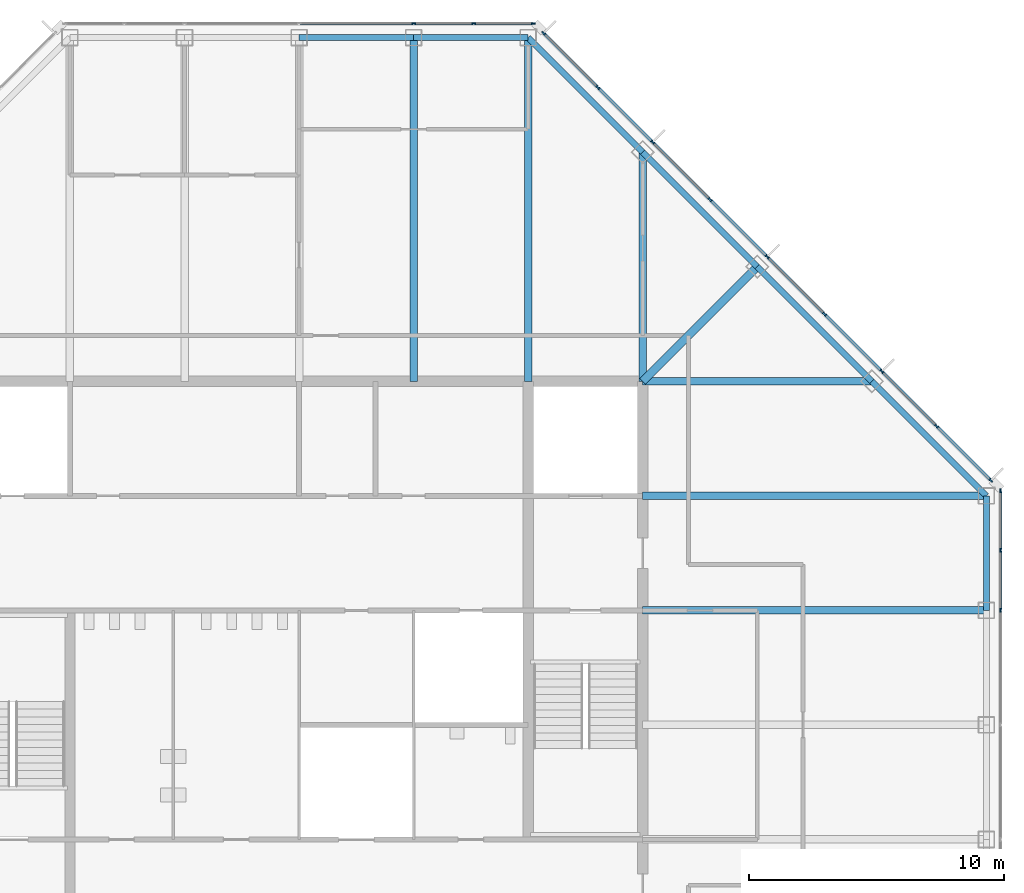
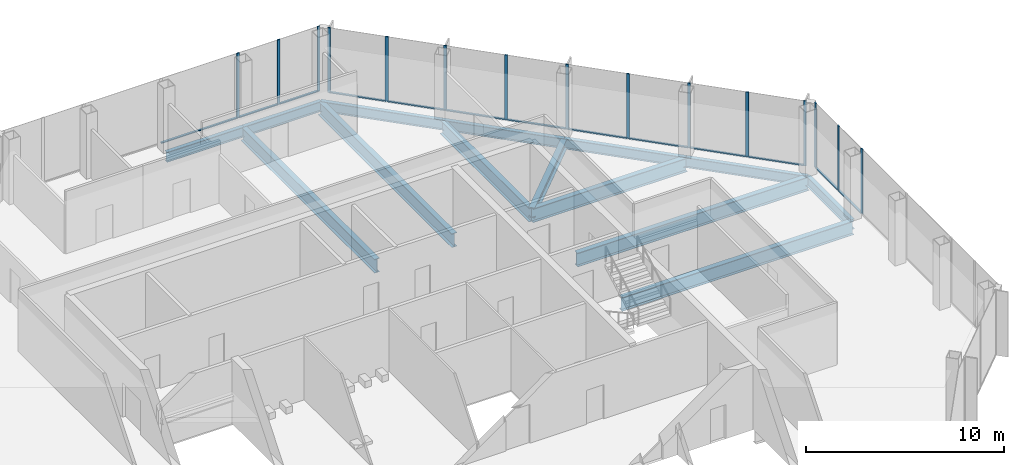
# One storey, part 7 of 13: 28 members, 14 beams, 3 elements without a shape of their own.
"""IFC4 building model written with IfcOpenShell, lengths in metres."""

from ifc_helpers import new_model, si_unit, direction, frame, origin, origin_2d, place, context, subcontext, project, spatial, rectangle, i_section, extrude, material, material_profile, profile_set, type_object, element, aggregate, save


model = new_model("IFC4")

# Units and contexts
model_context = context("Model", 3, precision=1e-05, world=origin(), true_north=direction((0.0, 1.0)))
body_context = subcontext(model_context, "Body", "Model", "MODEL_VIEW")
ifc_project = project(units=[si_unit("LENGTHUNIT", "METRE"), si_unit("AREAUNIT", "SQUARE_METRE"), si_unit("VOLUMEUNIT", "CUBIC_METRE"), si_unit("PLANEANGLEUNIT", "RADIAN"), si_unit("MASSUNIT", "GRAM", prefix="KILO")], contexts=[model_context])

# Site, building, storey
site_placement = place(None, origin())
site = spatial("IfcSite", under=ifc_project, at=site_placement, CompositionType="ELEMENT")
building_placement = place(site_placement, origin())
building = spatial("IfcBuilding", under=site, at=building_placement, Name="Corais Broadcast Tower", CompositionType="ELEMENT")
storey_placement = place(building_placement, frame((0.0, 0.0, 222.60009765625)))
storey = spatial("IfcBuildingStorey", under=building, at=storey_placement, Name="L51", CompositionType="ELEMENT", Elevation=222.60009765625)

# Beams
ifc_material_1 = material(Name="Steel ASTM A572 Grade 50", Category="steel")
ifc_material_profile_1 = material_profile(ifc_material_1, i_section(OverallWidth=0.323974609375, OverallDepth=0.611083984375, WebThickness=0.0126953125, FlangeThickness=0.01904296875, at=origin_2d()), Name="W610x155")
ifc_profile_set_1 = profile_set([ifc_material_profile_1], Name="Steel ASTM A572 Grade 50")
beam_type_1 = type_object("IfcBeamType", Name="Corner diagonal W610x155", PredefinedType="BEAM", material=ifc_profile_set_1)
beam_1_placement = place(storey_placement, frame((45.0, 45.0, -0.465576171875), z_axis=(-0.707106781187, -0.707106781187, 0.0), x_axis=(0.707106781187, -0.707106781187, 0.0)))
element("IfcBeam", 1, at=beam_1_placement, inside=storey, type_object=beam_type_1, Name="B6 L/13 to K/12", PredefinedType="BEAM", context=body_context, shape_type="SweptSolid", body=[
    extrude(i_section(OverallWidth=0.323974609375, OverallDepth=0.611083984375, WebThickness=0.0126953125, FlangeThickness=0.01904296875, at=origin_2d()), origin(), (0.0, 0.0, 1.0), 6.364013671875),
])
ifc_material_2 = material(Name="Steel ASTM A572 Grade 50", Category="steel")
ifc_material_profile_2 = material_profile(ifc_material_2, i_section(OverallWidth=0.2939453125, OverallDepth=0.85107421875, WebThickness=0.01611328125, FlangeThickness=0.02685546875, at=origin_2d()), Name="W840x226")
ifc_profile_set_2 = profile_set([ifc_material_profile_2], Name="Steel ASTM A572 Grade 50")
beam_type_2 = type_object("IfcBeamType", Name="Floor beam W840x226", PredefinedType="BEAM", material=ifc_profile_set_2)
for number, where, z_axis, x_axis, name in (
    (2, (31.5, 54.0, -0.585693359375), (0.0, -1.0, 0.0), (1.0, 0.0, 0.0), "B1 N/10 to K/10"),
    (3, (36.0, 54.0, -0.585693359375), (0.0, -1.0, 0.0), (1.0, 0.0, 0.0), "B1 N/11 to K/11"),
):
    element("IfcBeam", number, at=place(storey_placement, frame(where, z_axis=z_axis, x_axis=x_axis)), inside=storey, type_object=beam_type_2, Name=name, PredefinedType="BEAM", context=body_context, shape_type="SweptSolid", body=[
        extrude(i_section(OverallWidth=0.2939453125, OverallDepth=0.85107421875, WebThickness=0.01611328125, FlangeThickness=0.02685546875, at=origin_2d()), origin(), (0.0, 0.0, 1.0), 13.5),
    ])
for number, where, z_axis, x_axis, name in (
    (4, (40.5, 49.5, -0.585693359375), (0.0, -1.0, 0.0), (1.0, 0.0, 0.0), "B1 M/12 to K/12"),
    (5, (49.5, 40.5, -0.585693359375), (-1.0, 0.0, 0.0), (0.0, -1.0, 0.0), "B1 K/14 to K/12"),
):
    element("IfcBeam", number, at=place(storey_placement, frame(where, z_axis=z_axis, x_axis=x_axis)), inside=storey, type_object=beam_type_2, Name=name, PredefinedType="BEAM", context=body_context, shape_type="SweptSolid", body=[
        extrude(i_section(OverallWidth=0.2939453125, OverallDepth=0.85107421875, WebThickness=0.01611328125, FlangeThickness=0.02685546875, at=origin_2d()), origin(), (0.0, 0.0, 1.0), 9.0),
    ])
for number, where, z_axis, x_axis, name in (
    (6, (54.0, 31.5, -0.585693359375), (-1.0, 0.0, 0.0), (0.0, -1.0, 0.0), "B1 H/15 to H/12"),
    (7, (54.0, 36.0, -0.585693359375), (-1.0, 0.0, 0.0), (0.0, -1.0, 0.0), "B1 J/15 to J/12"),
):
    element("IfcBeam", number, at=place(storey_placement, frame(where, z_axis=z_axis, x_axis=x_axis)), inside=storey, type_object=beam_type_2, Name=name, PredefinedType="BEAM", context=body_context, shape_type="SweptSolid", body=[
        extrude(i_section(OverallWidth=0.2939453125, OverallDepth=0.85107421875, WebThickness=0.01611328125, FlangeThickness=0.02685546875, at=origin_2d()), origin(), (0.0, 0.0, 1.0), 13.5),
    ])

# Curtain wall, members
ifc_material_3 = material(Name="Aluminium and glass", Category="aluminium")
curtain_wall_type = type_object("IfcCurtainWallType", Name="Unitised fritted curtain wall CW3", PredefinedType="NOTDEFINED", material=ifc_material_3)
curtain_wall_1_placement = place(storey_placement, origin())
curtain_wall_1 = element("IfcCurtainWall", 8, at=curtain_wall_1_placement, inside=storey, type_object=curtain_wall_type, Name="CW3 curtain wall L51 4", PredefinedType="NOTDEFINED")
ifc_material_4 = material(Name="Aluminium 6063-T6", Category="aluminium")
ifc_material_profile_3 = material_profile(ifc_material_4, rectangle(XDim=0.06494140625, YDim=0.159912109375, at=origin_2d()), Name="Mullion CW3 65x160")
ifc_profile_set_3 = profile_set([ifc_material_profile_3], Name="Aluminium 6063-T6")
member_type_1 = type_object("IfcMemberType", Name="Mullion CW3 65x160", PredefinedType="MULLION", material=ifc_profile_set_3)
member_1_placement = place(storey_placement, frame((31.5, 54.550048828125, 0.0), z_axis=(0.0, 0.0, 1.0), x_axis=(0.0, 1.0, 0.0)))
member_1 = element("IfcMember", 9, at=member_1_placement, type_object=member_type_1, Name="CW3 mullion 5", PredefinedType="MULLION", context=body_context, shape_type="SweptSolid", body=[
    extrude(rectangle(XDim=0.06494140625, YDim=0.159912109375, at=origin_2d()), origin(), (0.0, 0.0, 1.0), 4.0),
])
member_2_placement = place(storey_placement, frame((33.864013671875, 54.550048828125, 0.0), z_axis=(0.0, 0.0, 1.0), x_axis=(0.0, 1.0, 0.0)))
member_2 = element("IfcMember", 10, at=member_2_placement, type_object=member_type_1, Name="CW3 mullion 6", PredefinedType="MULLION", context=body_context, shape_type="SweptSolid", body=[
    extrude(rectangle(XDim=0.06494140625, YDim=0.159912109375, at=origin_2d()), origin(), (0.0, 0.0, 1.0), 4.0),
])
member_3_placement = place(storey_placement, frame((36.1953125, 54.550048828125, 0.0), z_axis=(0.0, 0.0, 1.0), x_axis=(0.0, 1.0, 0.0)))
member_3 = element("IfcMember", 11, at=member_3_placement, type_object=member_type_1, Name="CW3 mullion 7", PredefinedType="MULLION", context=body_context, shape_type="SweptSolid", body=[
    extrude(rectangle(XDim=0.06494140625, YDim=0.159912109375, at=origin_2d()), origin(), (0.0, 0.0, 1.0), 4.0),
])

curtain_wall_2_placement = place(storey_placement, origin())
curtain_wall_2 = element("IfcCurtainWall", 12, at=curtain_wall_2_placement, inside=storey, type_object=curtain_wall_type, Name="CW3 curtain wall L51 5", PredefinedType="NOTDEFINED")
member_4_placement = place(storey_placement, frame((36.6044921875, 54.17333984375, 0.0), z_axis=(0.0, 0.0, 1.0), x_axis=(0.707106781187, 0.707106781187, 0.0)))
member_4 = element("IfcMember", 13, at=member_4_placement, type_object=member_type_1, Name="CW3 mullion 1", PredefinedType="MULLION", context=body_context, shape_type="SweptSolid", body=[
    extrude(rectangle(XDim=0.06494140625, YDim=0.159912109375, at=origin_2d()), origin(), (0.0, 0.0, 1.0), 4.0),
])
member_5_placement = place(storey_placement, frame((38.735107421875, 52.042724609375, 0.0), z_axis=(0.0, 0.0, 1.0), x_axis=(0.707106781187, 0.707106781187, 0.0)))
member_5 = element("IfcMember", 14, at=member_5_placement, type_object=member_type_1, Name="CW3 mullion 2", PredefinedType="MULLION", context=body_context, shape_type="SweptSolid", body=[
    extrude(rectangle(XDim=0.06494140625, YDim=0.159912109375, at=origin_2d()), origin(), (0.0, 0.0, 1.0), 4.0),
])
member_6_placement = place(storey_placement, frame((40.888916015625, 49.888916015625, 0.0), z_axis=(0.0, 0.0, 1.0), x_axis=(0.707106781187, 0.707106781187, 0.0)))
member_6 = element("IfcMember", 15, at=member_6_placement, type_object=member_type_1, Name="CW3 mullion 3", PredefinedType="MULLION", context=body_context, shape_type="SweptSolid", body=[
    extrude(rectangle(XDim=0.06494140625, YDim=0.159912109375, at=origin_2d()), origin(), (0.0, 0.0, 1.0), 4.0),
])
member_7_placement = place(storey_placement, frame((43.138916015625, 47.638916015625, 0.0), z_axis=(0.0, 0.0, 1.0), x_axis=(0.707106781187, 0.707106781187, 0.0)))
member_7 = element("IfcMember", 16, at=member_7_placement, type_object=member_type_1, Name="CW3 mullion 4", PredefinedType="MULLION", context=body_context, shape_type="SweptSolid", body=[
    extrude(rectangle(XDim=0.06494140625, YDim=0.159912109375, at=origin_2d()), origin(), (0.0, 0.0, 1.0), 4.0),
])
member_8_placement = place(storey_placement, frame((45.388916015625, 45.388916015625, 0.0), z_axis=(0.0, 0.0, 1.0), x_axis=(0.707106781187, 0.707106781187, 0.0)))
member_8 = element("IfcMember", 17, at=member_8_placement, type_object=member_type_1, Name="CW3 mullion 5", PredefinedType="MULLION", context=body_context, shape_type="SweptSolid", body=[
    extrude(rectangle(XDim=0.06494140625, YDim=0.159912109375, at=origin_2d()), origin(), (0.0, 0.0, 1.0), 4.0),
])
member_9_placement = place(storey_placement, frame((47.638916015625, 43.138916015625, 0.0), z_axis=(0.0, 0.0, 1.0), x_axis=(0.707106781187, 0.707106781187, 0.0)))
member_9 = element("IfcMember", 18, at=member_9_placement, type_object=member_type_1, Name="CW3 mullion 6", PredefinedType="MULLION", context=body_context, shape_type="SweptSolid", body=[
    extrude(rectangle(XDim=0.06494140625, YDim=0.159912109375, at=origin_2d()), origin(), (0.0, 0.0, 1.0), 4.0),
])
member_10_placement = place(storey_placement, frame((49.888916015625, 40.888916015625, 0.0), z_axis=(0.0, 0.0, 1.0), x_axis=(0.707106781187, 0.707106781187, 0.0)))
member_10 = element("IfcMember", 19, at=member_10_placement, type_object=member_type_1, Name="CW3 mullion 7", PredefinedType="MULLION", context=body_context, shape_type="SweptSolid", body=[
    extrude(rectangle(XDim=0.06494140625, YDim=0.159912109375, at=origin_2d()), origin(), (0.0, 0.0, 1.0), 4.0),
])
member_11_placement = place(storey_placement, frame((52.042724609375, 38.735107421875, 0.0), z_axis=(0.0, 0.0, 1.0), x_axis=(0.707106781187, 0.707106781187, 0.0)))
member_11 = element("IfcMember", 20, at=member_11_placement, type_object=member_type_1, Name="CW3 mullion 8", PredefinedType="MULLION", context=body_context, shape_type="SweptSolid", body=[
    extrude(rectangle(XDim=0.06494140625, YDim=0.159912109375, at=origin_2d()), origin(), (0.0, 0.0, 1.0), 4.0),
])
member_12_placement = place(storey_placement, frame((54.17333984375, 36.6044921875, 0.0), z_axis=(0.0, 0.0, 1.0), x_axis=(0.707106781187, 0.707106781187, 0.0)))
member_12 = element("IfcMember", 21, at=member_12_placement, type_object=member_type_1, Name="CW3 mullion 9", PredefinedType="MULLION", context=body_context, shape_type="SweptSolid", body=[
    extrude(rectangle(XDim=0.06494140625, YDim=0.159912109375, at=origin_2d()), origin(), (0.0, 0.0, 1.0), 4.0),
])

curtain_wall_3_placement = place(storey_placement, origin())
curtain_wall_3 = element("IfcCurtainWall", 22, at=curtain_wall_3_placement, inside=storey, type_object=curtain_wall_type, Name="CW3 curtain wall L51 6", PredefinedType="NOTDEFINED")
member_13_placement = place(storey_placement, frame((54.550048828125, 36.1953125, 0.0), z_axis=(0.0, 0.0, 1.0), x_axis=(1.0, 0.0, 0.0)))
member_13 = element("IfcMember", 23, at=member_13_placement, type_object=member_type_1, Name="CW3 mullion 1", PredefinedType="MULLION", context=body_context, shape_type="SweptSolid", body=[
    extrude(rectangle(XDim=0.06494140625, YDim=0.159912109375, at=origin_2d()), origin(), (0.0, 0.0, 1.0), 4.0),
])
member_14_placement = place(storey_placement, frame((54.550048828125, 33.864013671875, 0.0), z_axis=(0.0, 0.0, 1.0), x_axis=(1.0, 0.0, 0.0)))
member_14 = element("IfcMember", 24, at=member_14_placement, type_object=member_type_1, Name="CW3 mullion 2", PredefinedType="MULLION", context=body_context, shape_type="SweptSolid", body=[
    extrude(rectangle(XDim=0.06494140625, YDim=0.159912109375, at=origin_2d()), origin(), (0.0, 0.0, 1.0), 4.0),
])
member_15_placement = place(storey_placement, frame((54.550048828125, 31.5, 0.0), z_axis=(0.0, 0.0, 1.0), x_axis=(1.0, 0.0, 0.0)))
member_15 = element("IfcMember", 25, at=member_15_placement, type_object=member_type_1, Name="CW3 mullion 3", PredefinedType="MULLION", context=body_context, shape_type="SweptSolid", body=[
    extrude(rectangle(XDim=0.06494140625, YDim=0.159912109375, at=origin_2d()), origin(), (0.0, 0.0, 1.0), 4.0),
])

# Beams
ifc_material_5 = material(Name="Steel ASTM A572 Grade 50", Category="steel")
ifc_material_profile_4 = material_profile(ifc_material_5, i_section(OverallWidth=0.22998046875, OverallDepth=0.616943359375, WebThickness=0.01318359375, FlangeThickness=0.022216796875, at=origin_2d()), Name="W610x140")
ifc_profile_set_4 = profile_set([ifc_material_profile_4], Name="Steel ASTM A572 Grade 50")
beam_type_3 = type_object("IfcBeamType", Name="Spandrel W610x140", PredefinedType="BEAM", material=ifc_profile_set_4)
for number, where, z_axis, x_axis, name in (
    (26, (31.5, 54.0, -0.468505859375), (-1.0, 0.0, 0.0), (0.0, -1.0, 0.0), "SB3 N/10 to N/9"),
    (27, (36.0, 54.0, -0.468505859375), (-1.0, 0.0, 0.0), (0.0, -1.0, 0.0), "SB3 N/11 to N/10"),
):
    element("IfcBeam", number, at=place(storey_placement, frame(where, z_axis=z_axis, x_axis=x_axis)), inside=storey, type_object=beam_type_3, Name=name, PredefinedType="BEAM", context=body_context, shape_type="SweptSolid", body=[
        extrude(i_section(OverallWidth=0.22998046875, OverallDepth=0.616943359375, WebThickness=0.01318359375, FlangeThickness=0.022216796875, at=origin_2d()), origin(), (0.0, 0.0, 1.0), 4.5),
    ])
for number, where, z_axis, x_axis, name in (
    (28, (40.5, 49.5, -0.468505859375), (-0.707106781187, 0.707106781187, 0.0), (-0.707106781187, -0.707106781187, 0.0), "SB3 M/12 to N/11"),
    (29, (45.0, 45.0, -0.468505859375), (-0.707106781187, 0.707106781187, 0.0), (-0.707106781187, -0.707106781187, 0.0), "SB3 L/13 to M/12"),
    (30, (49.5, 40.5, -0.468505859375), (-0.707106781187, 0.707106781187, 0.0), (-0.707106781187, -0.707106781187, 0.0), "SB3 K/14 to L/13"),
):
    element("IfcBeam", number, at=place(storey_placement, frame(where, z_axis=z_axis, x_axis=x_axis)), inside=storey, type_object=beam_type_3, Name=name, PredefinedType="BEAM", context=body_context, shape_type="SweptSolid", body=[
        extrude(i_section(OverallWidth=0.22998046875, OverallDepth=0.616943359375, WebThickness=0.01318359375, FlangeThickness=0.022216796875, at=origin_2d()), origin(), (0.0, 0.0, 1.0), 6.364013671875),
    ])
beam_2_placement = place(storey_placement, frame((54.0, 31.5, -0.468505859375), z_axis=(0.0, 1.0, 0.0), x_axis=(-1.0, 0.0, 0.0)))
element("IfcBeam", 31, at=beam_2_placement, inside=storey, type_object=beam_type_3, Name="SB3 H/15 to J/15", PredefinedType="BEAM", context=body_context, shape_type="SweptSolid", body=[
    extrude(i_section(OverallWidth=0.22998046875, OverallDepth=0.616943359375, WebThickness=0.01318359375, FlangeThickness=0.022216796875, at=origin_2d()), origin(), (0.0, 0.0, 1.0), 4.5),
])
beam_3_placement = place(storey_placement, frame((54.0, 36.0, -0.468505859375), z_axis=(-0.707106781187, 0.707106781187, 0.0), x_axis=(-0.707106781187, -0.707106781187, 0.0)))
element("IfcBeam", 32, at=beam_3_placement, inside=storey, type_object=beam_type_3, Name="SB3 J/15 to K/14", PredefinedType="BEAM", context=body_context, shape_type="SweptSolid", body=[
    extrude(i_section(OverallWidth=0.22998046875, OverallDepth=0.616943359375, WebThickness=0.01318359375, FlangeThickness=0.022216796875, at=origin_2d()), origin(), (0.0, 0.0, 1.0), 6.364013671875),
])

# Member
ifc_material_6 = material(Name="Aluminium 6063-T6", Category="aluminium")
ifc_material_profile_5 = material_profile(ifc_material_6, rectangle(XDim=0.1201171875, YDim=0.06494140625, at=origin_2d()), Name="Transom CW3 65x120")
ifc_profile_set_5 = profile_set([ifc_material_profile_5], Name="Aluminium 6063-T6")
member_type_2 = type_object("IfcMemberType", Name="Transom CW3 65x120", PredefinedType="USERDEFINED", material=ifc_profile_set_5)
member_16_placement = place(storey_placement, frame((27.032470703125, 54.550048828125, 0.032470703125), z_axis=(1.0, 0.0, 0.0), x_axis=(0.0, 1.0, 0.0)))
member_16 = element("IfcMember", 33, at=member_16_placement, type_object=member_type_2, Name="CW3 transom 4.1", ObjectType="TRANSOM", PredefinedType="USERDEFINED", context=body_context, shape_type="SweptSolid", body=[
    extrude(rectangle(XDim=0.1201171875, YDim=0.06494140625, at=origin_2d()), origin(), (0.0, 0.0, 1.0), 4.43505859375),
])

member_17_placement = place(storey_placement, frame((31.532470703125, 54.550048828125, 0.032470703125), z_axis=(1.0, 0.0, 0.0), x_axis=(0.0, 1.0, 0.0)))
member_17 = element("IfcMember", 34, at=member_17_placement, type_object=member_type_2, Name="CW3 transom 5.1", ObjectType="TRANSOM", PredefinedType="USERDEFINED", context=body_context, shape_type="SweptSolid", body=[
    extrude(rectangle(XDim=0.1201171875, YDim=0.06494140625, at=origin_2d()), origin(), (0.0, 0.0, 1.0), 2.298828125),
])

member_18_placement = place(storey_placement, frame((33.896484375, 54.550048828125, 0.032470703125), z_axis=(1.0, 0.0, 0.0), x_axis=(0.0, 1.0, 0.0)))
member_18 = element("IfcMember", 35, at=member_18_placement, type_object=member_type_2, Name="CW3 transom 6.1", ObjectType="TRANSOM", PredefinedType="USERDEFINED", context=body_context, shape_type="SweptSolid", body=[
    extrude(rectangle(XDim=0.1201171875, YDim=0.06494140625, at=origin_2d()), origin(), (0.0, 0.0, 1.0), 2.266357421875),
])

aggregate(curtain_wall_1, [member_1, member_2, member_3, member_16, member_17, member_18])

member_19_placement = place(storey_placement, frame((36.62744140625, 54.150390625, 0.032470703125), z_axis=(0.707106781187, -0.707106781187, 0.0), x_axis=(0.707106781187, 0.707106781187, 0.0)))
member_19 = element("IfcMember", 36, at=member_19_placement, type_object=member_type_2, Name="CW3 transom 1.1", ObjectType="TRANSOM", PredefinedType="USERDEFINED", context=body_context, shape_type="SweptSolid", body=[
    extrude(rectangle(XDim=0.1201171875, YDim=0.06494140625, at=origin_2d()), origin(), (0.0, 0.0, 1.0), 2.9482421875),
])

member_20_placement = place(storey_placement, frame((38.758056640625, 52.019775390625, 0.032470703125), z_axis=(0.707106781187, -0.707106781187, 0.0), x_axis=(0.707106781187, 0.707106781187, 0.0)))
member_20 = element("IfcMember", 37, at=member_20_placement, type_object=member_type_2, Name="CW3 transom 2.1", ObjectType="TRANSOM", PredefinedType="USERDEFINED", context=body_context, shape_type="SweptSolid", body=[
    extrude(rectangle(XDim=0.1201171875, YDim=0.06494140625, at=origin_2d()), origin(), (0.0, 0.0, 1.0), 2.98095703125),
])

member_21_placement = place(storey_placement, frame((40.911865234375, 49.865966796875, 0.032470703125), z_axis=(0.707106781187, -0.707106781187, 0.0), x_axis=(0.707106781187, 0.707106781187, 0.0)))
member_21 = element("IfcMember", 38, at=member_21_placement, type_object=member_type_2, Name="CW3 transom 3.1", ObjectType="TRANSOM", PredefinedType="USERDEFINED", context=body_context, shape_type="SweptSolid", body=[
    extrude(rectangle(XDim=0.1201171875, YDim=0.06494140625, at=origin_2d()), origin(), (0.0, 0.0, 1.0), 3.1171875),
])

member_22_placement = place(storey_placement, frame((43.161865234375, 47.615966796875, 0.032470703125), z_axis=(0.707106781187, -0.707106781187, 0.0), x_axis=(0.707106781187, 0.707106781187, 0.0)))
member_22 = element("IfcMember", 39, at=member_22_placement, type_object=member_type_2, Name="CW3 transom 4.1", ObjectType="TRANSOM", PredefinedType="USERDEFINED", context=body_context, shape_type="SweptSolid", body=[
    extrude(rectangle(XDim=0.1201171875, YDim=0.06494140625, at=origin_2d()), origin(), (0.0, 0.0, 1.0), 3.1171875),
])

member_23_placement = place(storey_placement, frame((45.411865234375, 45.365966796875, 0.032470703125), z_axis=(0.707106781187, -0.707106781187, 0.0), x_axis=(0.707106781187, 0.707106781187, 0.0)))
member_23 = element("IfcMember", 40, at=member_23_placement, type_object=member_type_2, Name="CW3 transom 5.1", ObjectType="TRANSOM", PredefinedType="USERDEFINED", context=body_context, shape_type="SweptSolid", body=[
    extrude(rectangle(XDim=0.1201171875, YDim=0.06494140625, at=origin_2d()), origin(), (0.0, 0.0, 1.0), 3.1171875),
])

member_24_placement = place(storey_placement, frame((47.661865234375, 43.115966796875, 0.032470703125), z_axis=(0.707106781187, -0.707106781187, 0.0), x_axis=(0.707106781187, 0.707106781187, 0.0)))
member_24 = element("IfcMember", 41, at=member_24_placement, type_object=member_type_2, Name="CW3 transom 6.1", ObjectType="TRANSOM", PredefinedType="USERDEFINED", context=body_context, shape_type="SweptSolid", body=[
    extrude(rectangle(XDim=0.1201171875, YDim=0.06494140625, at=origin_2d()), origin(), (0.0, 0.0, 1.0), 3.1171875),
])

member_25_placement = place(storey_placement, frame((49.911865234375, 40.865966796875, 0.032470703125), z_axis=(0.707065828661, -0.70714773134, 0.0), x_axis=(0.70714773134, 0.707065828661, 0.0)))
member_25 = element("IfcMember", 42, at=member_25_placement, type_object=member_type_2, Name="CW3 transom 7.1", ObjectType="TRANSOM", PredefinedType="USERDEFINED", context=body_context, shape_type="SweptSolid", body=[
    extrude(rectangle(XDim=0.1201171875, YDim=0.06494140625, at=origin_2d()), origin(), (0.0, 0.0, 1.0), 2.98095703125),
])

member_26_placement = place(storey_placement, frame((52.065673828125, 38.712158203125, 0.032470703125), z_axis=(0.707106781187, -0.707106781187, 0.0), x_axis=(0.707106781187, 0.707106781187, 0.0)))
member_26 = element("IfcMember", 43, at=member_26_placement, type_object=member_type_2, Name="CW3 transom 8.1", ObjectType="TRANSOM", PredefinedType="USERDEFINED", context=body_context, shape_type="SweptSolid", body=[
    extrude(rectangle(XDim=0.1201171875, YDim=0.06494140625, at=origin_2d()), origin(), (0.0, 0.0, 1.0), 2.9482421875),
])

aggregate(curtain_wall_2, [member_4, member_5, member_6, member_7, member_8, member_9, member_10, member_11, member_12, member_19, member_20, member_21, member_22, member_23, member_24, member_25, member_26])

member_27_placement = place(storey_placement, frame((54.550048828125, 36.162841796875, 0.032470703125), z_axis=(0.0, -1.0, 0.0), x_axis=(1.0, 0.0, 0.0)))
member_27 = element("IfcMember", 44, at=member_27_placement, type_object=member_type_2, Name="CW3 transom 1.1", ObjectType="TRANSOM", PredefinedType="USERDEFINED", context=body_context, shape_type="SweptSolid", body=[
    extrude(rectangle(XDim=0.1201171875, YDim=0.06494140625, at=origin_2d()), origin(), (0.0, 0.0, 1.0), 2.266357421875),
])

member_28_placement = place(storey_placement, frame((54.550048828125, 33.831298828125, 0.032470703125), z_axis=(0.0, -1.0, 0.0), x_axis=(1.0, 0.0, 0.0)))
member_28 = element("IfcMember", 45, at=member_28_placement, type_object=member_type_2, Name="CW3 transom 2.1", ObjectType="TRANSOM", PredefinedType="USERDEFINED", context=body_context, shape_type="SweptSolid", body=[
    extrude(rectangle(XDim=0.1201171875, YDim=0.06494140625, at=origin_2d()), origin(), (0.0, 0.0, 1.0), 2.298828125),
])

aggregate(curtain_wall_3, [member_13, member_14, member_15, member_27, member_28])

save(model, "model.ifc")
